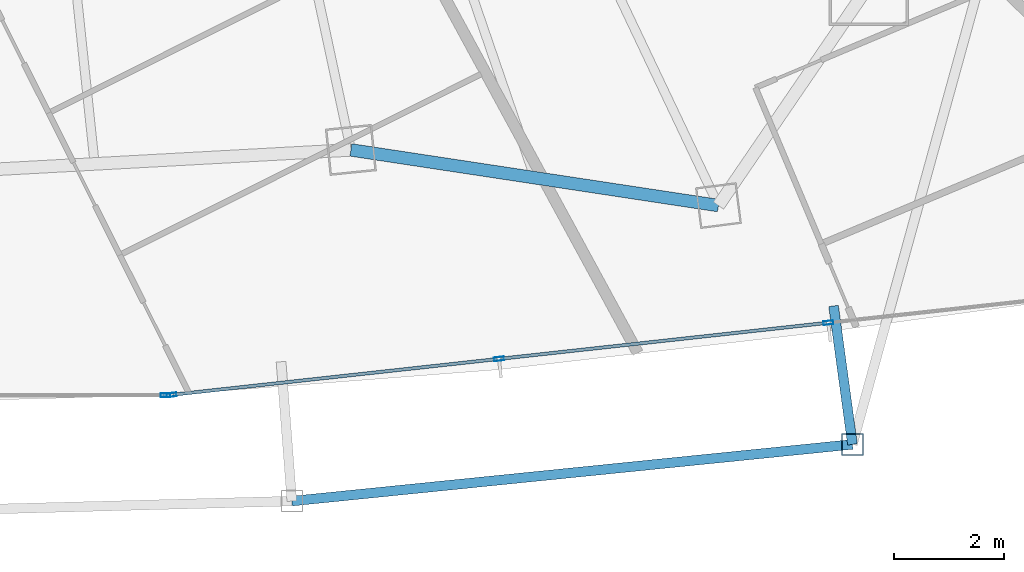
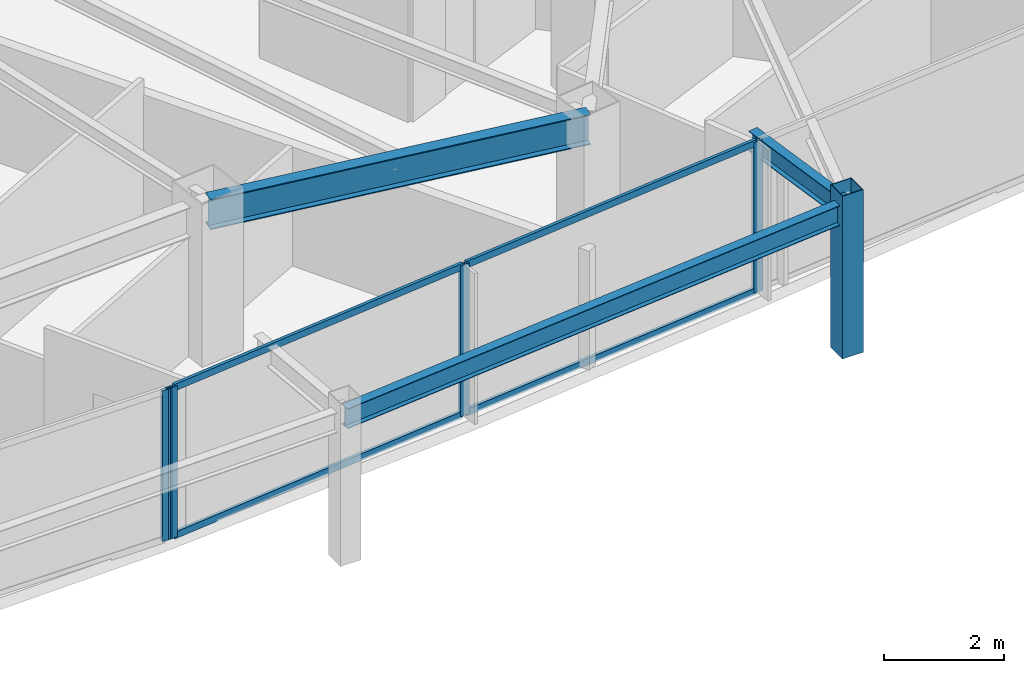
# One storey, part 11 of 31: 9 members, 3 beams, 2 elements without a shape of their own.
"""IFC4 building model written with IfcOpenShell, lengths in metres."""

from ifc_helpers import new_model, si_unit, direction, frame, origin, origin_2d, place, context, subcontext, project, spatial, hollow_rectangle, i_section, extrude, material, layer, layer_set, material_profile, profile_set, type_object, element, aggregate, save


model = new_model("IFC4")

# Units and contexts
model_context = context("Model", 3, precision=1e-05, world=origin(), true_north=direction((0.0, 1.0)))
body_context = subcontext(model_context, "Body", "Model", "MODEL_VIEW")
ifc_project = project(units=[si_unit("LENGTHUNIT", "METRE"), si_unit("AREAUNIT", "SQUARE_METRE"), si_unit("VOLUMEUNIT", "CUBIC_METRE"), si_unit("PLANEANGLEUNIT", "RADIAN"), si_unit("MASSUNIT", "GRAM", prefix="KILO")], contexts=[model_context])

# Site, building, storey
site_placement = place(None, origin())
site = spatial("IfcSite", under=ifc_project, at=site_placement, CompositionType="ELEMENT")
building_placement = place(site_placement, origin())
building = spatial("IfcBuilding", under=site, at=building_placement, Name="Orvanel Arch Residences", CompositionType="ELEMENT")
storey_placement = place(building_placement, frame((0.0, 0.0, 106.699951171875)))
storey = spatial("IfcBuildingStorey", under=building, at=storey_placement, Name="L29", CompositionType="ELEMENT", Elevation=106.699951171875)

# Curtain wall, member
ifc_material_1 = material(Name="Bronze-anodised aluminium AA6063-T6", Category="aluminium")
ifc_layer = layer(ifc_material_1, 0.179931640625)
ifc_layer_set = layer_set([ifc_layer], Name="Bronze-anodised aluminium AA6063-T6")
curtain_wall_type = type_object("IfcCurtainWallType", Name="CW3-MID-SYS", PredefinedType="NOTDEFINED", material=ifc_layer_set)
curtain_wall_1_placement = place(storey_placement, origin())
curtain_wall_1 = element("IfcCurtainWall", 1, at=curtain_wall_1_placement, inside=storey, type_object=curtain_wall_type, Name="L29 CW3-MID-SYS Unitised Curtain Wall", PredefinedType="NOTDEFINED")
ifc_material_profile_1 = material_profile(ifc_material_1, hollow_rectangle(XDim=0.070068359375, YDim=0.179931640625, WallThickness=0.00439453125, at=origin_2d()), Name="ALU180x70x4.5")
ifc_profile_set_1 = profile_set([ifc_material_profile_1], Name="Bronze-anodised aluminium AA6063-T6")
member_type_1 = type_object("IfcMemberType", Name="MUL-180x70", PredefinedType="MULLION", material=ifc_profile_set_1)
member_1_placement = place(storey_placement, frame((38.968017578125, 2.87890625, 0.0), z_axis=(0.0, 0.0, 1.0), x_axis=(0.0, 1.0, 0.0)))
member_1 = element("IfcMember", 2, at=member_1_placement, type_object=member_type_1, Name="CW-S3 mullion 3", PredefinedType="MULLION", context=body_context, shape_type="SweptSolid", body=[
    extrude(hollow_rectangle(XDim=0.070068359375, YDim=0.179931640625, WallThickness=0.00439453125, at=origin_2d()), origin(), (0.0, 0.0, 1.0), 3.06005859375),
])
aggregate(curtain_wall_1, [member_1])

# Curtain wall, members
curtain_wall_2_placement = place(storey_placement, origin())
curtain_wall_2 = element("IfcCurtainWall", 3, at=curtain_wall_2_placement, inside=storey, type_object=curtain_wall_type, Name="L29 CW3-MID-SYS Unitised Curtain Wall", PredefinedType="NOTDEFINED")
member_2_placement = place(storey_placement, frame((39.077880859375, 2.884765625, 0.0), z_axis=(0.0, 0.0, 1.0), x_axis=(-0.109154736008, 0.994024770117, 0.0)))
member_2 = element("IfcMember", 4, at=member_2_placement, type_object=member_type_1, Name="CW-S3 mullion 1", PredefinedType="MULLION", context=body_context, shape_type="SweptSolid", body=[
    extrude(hollow_rectangle(XDim=0.070068359375, YDim=0.179931640625, WallThickness=0.00439453125, at=origin_2d()), origin(), (0.0, 0.0, 1.0), 3.06005859375),
])
member_3_placement = place(storey_placement, frame((45.05322265625, 3.541015625, 0.0), z_axis=(0.0, 0.0, 1.0), x_axis=(-0.109154736008, 0.994024770117, 0.0)))
member_3 = element("IfcMember", 5, at=member_3_placement, type_object=member_type_1, Name="CW-S3 mullion 2", PredefinedType="MULLION", context=body_context, shape_type="SweptSolid", body=[
    extrude(hollow_rectangle(XDim=0.070068359375, YDim=0.179931640625, WallThickness=0.00439453125, at=origin_2d()), origin(), (0.0, 0.0, 1.0), 3.06005859375),
])
member_4_placement = place(storey_placement, frame((51.063720703125, 4.200927734375, 0.0), z_axis=(0.0, 0.0, 1.0), x_axis=(-0.109154736008, 0.994024770117, 0.0)))
member_4 = element("IfcMember", 6, at=member_4_placement, type_object=member_type_1, Name="CW-S3 mullion 3", PredefinedType="MULLION", context=body_context, shape_type="SweptSolid", body=[
    extrude(hollow_rectangle(XDim=0.070068359375, YDim=0.179931640625, WallThickness=0.00439453125, at=origin_2d()), origin(), (0.0, 0.0, 1.0), 3.06005859375),
])

# Beams
ifc_material_2 = material(Name="Structural steel AS/NZS 3679.1 Grade 300 (300 MPa)", Category="steel")
ifc_material_profile_2 = material_profile(ifc_material_2, i_section(OverallWidth=0.177978515625, OverallDepth=0.406005859375, WebThickness=0.0078125, FlangeThickness=0.0126953125, at=origin_2d()), Name="410UB59.7")
ifc_profile_set_2 = profile_set([ifc_material_profile_2], Name="Structural steel AS/NZS 3679.1 Grade 300 (300 MPa)")
beam_type_1 = type_object("IfcBeamType", Name="OB-410UB-EXT", PredefinedType="SPANDREL", material=ifc_profile_set_2)
beam_1_placement = place(storey_placement, frame((41.27392578125, 0.946044921875, 2.85693359375), z_axis=(0.994922767313, 0.100641378577, 0.0), x_axis=(-0.100641378577, 0.994922767313, 0.0)))
element("IfcBeam", 7, at=beam_1_placement, inside=storey, type_object=beam_type_1, Name="L29 Outer Perimeter Floor Ring Beam 07", PredefinedType="SPANDREL", context=body_context, shape_type="SweptSolid", body=[
    extrude(i_section(OverallWidth=0.177978515625, OverallDepth=0.406005859375, WebThickness=0.0078125, FlangeThickness=0.0126953125, at=origin_2d()), origin(), (0.0, 0.0, 1.0), 10.283203125),
])
beam_2_placement = place(storey_placement, frame((51.159912109375, 4.508056640625, 2.85693359375), z_axis=(0.13525416411, -0.990810936098, 0.0), x_axis=(0.990810936098, 0.13525416411, 0.0)))
element("IfcBeam", 8, at=beam_2_placement, inside=storey, type_object=beam_type_1, Name="L29 Outer Frame Radial Tie Beam 08", PredefinedType="SPANDREL", context=body_context, shape_type="SweptSolid", body=[
    extrude(i_section(OverallWidth=0.177978515625, OverallDepth=0.406005859375, WebThickness=0.0078125, FlangeThickness=0.0126953125, at=origin_2d()), origin(), (0.0, 0.0, 1.0), 2.550537109375),
])
ifc_material_profile_3 = material_profile(ifc_material_2, i_section(OverallWidth=0.22900390625, OverallDepth=0.612060546875, WebThickness=0.011962890625, FlangeThickness=0.01953125, at=origin_2d()), Name="610UB125")
ifc_profile_set_3 = profile_set([ifc_material_profile_3], Name="Structural steel AS/NZS 3679.1 Grade 300 (300 MPa)")
beam_type_2 = type_object("IfcBeamType", Name="SP-610UB", PredefinedType="SPANDREL", material=ifc_profile_set_3)
beam_3_placement = place(storey_placement, frame((42.35107421875, 7.35498046875, 2.754150390625), z_axis=(0.988726323014, -0.149733958002, 0.0), x_axis=(0.149733958002, 0.988726323014, 0.0)))
element("IfcBeam", 9, at=beam_3_placement, inside=storey, type_object=beam_type_2, Name="L29 Perimeter Spandrel Beam 07", PredefinedType="SPANDREL", context=body_context, shape_type="SweptSolid", body=[
    extrude(i_section(OverallWidth=0.22900390625, OverallDepth=0.612060546875, WebThickness=0.011962890625, FlangeThickness=0.01953125, at=origin_2d()), origin(), (0.0, 0.0, 1.0), 6.784423828125),
])

# Member
ifc_material_3 = material(Name="Structural steel AS/NZS 1163 C450L0 (Grade 450)", Category="steel")
ifc_material_profile_4 = material_profile(ifc_material_3, hollow_rectangle(XDim=0.39990234375, YDim=0.39990234375, WallThickness=0.01611328125, at=origin_2d()), Name="SHS400x400x16")
ifc_profile_set_4 = profile_set([ifc_material_profile_4], Name="Structural steel AS/NZS 1163 C450L0 (Grade 450)")
member_type_2 = type_object("IfcMemberType", Name="ST-400SHS-EXT", PredefinedType="STRUT", material=ifc_profile_set_4)
member_5_placement = place(storey_placement, frame((51.5048828125, 1.98095703125, 0.0), z_axis=(0.0, 0.0, 1.0), x_axis=(1.0, 0.0, 0.0)))
element("IfcMember", 10, at=member_5_placement, inside=storey, type_object=member_type_2, Name="L29 Outer Perimeter Frame Post 08", PredefinedType="STRUT", context=body_context, shape_type="SweptSolid", body=[
    extrude(hollow_rectangle(XDim=0.39990234375, YDim=0.39990234375, WallThickness=0.01611328125, at=origin_2d()), origin(), (0.0, 0.0, 1.0), 3.300048828125),
])

ifc_material_profile_5 = material_profile(ifc_material_1, hollow_rectangle(XDim=0.06005859375, YDim=0.135009765625, WallThickness=0.00390625, at=origin_2d()), Name="ALU135x60x4")
ifc_profile_set_5 = profile_set([ifc_material_profile_5], Name="Bronze-anodised aluminium AA6063-T6")
member_type_3 = type_object("IfcMemberType", Name="TRN-135x60", PredefinedType="USERDEFINED", material=ifc_profile_set_5)
member_6_placement = place(storey_placement, frame((39.112548828125, 2.888671875, 0.030029296875), z_axis=(0.994026709515, 0.109137073311, 0.0), x_axis=(-0.109137073311, 0.994026709515, 0.0)))
member_6 = element("IfcMember", 11, at=member_6_placement, type_object=member_type_3, Name="CW-S3 transom 1.1", ObjectType="TRANSOM", PredefinedType="USERDEFINED", context=body_context, shape_type="SweptSolid", body=[
    extrude(hollow_rectangle(XDim=0.06005859375, YDim=0.135009765625, WallThickness=0.00390625, at=origin_2d()), origin(), (0.0, 0.0, 1.0), 5.94140625),
])

member_7_placement = place(storey_placement, frame((39.112548828125, 2.888671875, 3.030029296875), z_axis=(0.994026709515, 0.109137073311, 0.0), x_axis=(-0.109137073311, 0.994026709515, 0.0)))
member_7 = element("IfcMember", 12, at=member_7_placement, type_object=member_type_3, Name="CW-S3 transom 1.2", ObjectType="TRANSOM", PredefinedType="USERDEFINED", context=body_context, shape_type="SweptSolid", body=[
    extrude(hollow_rectangle(XDim=0.06005859375, YDim=0.135009765625, WallThickness=0.00390625, at=origin_2d()), origin(), (0.0, 0.0, 1.0), 5.94140625),
])

member_8_placement = place(storey_placement, frame((45.088134765625, 3.544921875, 0.030029296875), z_axis=(0.994024894995, 0.109153598793, 0.0), x_axis=(-0.109153598793, 0.994024894995, 0.0)))
member_8 = element("IfcMember", 13, at=member_8_placement, type_object=member_type_3, Name="CW-S3 transom 2.1", ObjectType="TRANSOM", PredefinedType="USERDEFINED", context=body_context, shape_type="SweptSolid", body=[
    extrude(hollow_rectangle(XDim=0.06005859375, YDim=0.135009765625, WallThickness=0.00390625, at=origin_2d()), origin(), (0.0, 0.0, 1.0), 5.976318359375),
])

member_9_placement = place(storey_placement, frame((45.088134765625, 3.544921875, 3.030029296875), z_axis=(0.994024894995, 0.109153598793, 0.0), x_axis=(-0.109153598793, 0.994024894995, 0.0)))
member_9 = element("IfcMember", 14, at=member_9_placement, type_object=member_type_3, Name="CW-S3 transom 2.2", ObjectType="TRANSOM", PredefinedType="USERDEFINED", context=body_context, shape_type="SweptSolid", body=[
    extrude(hollow_rectangle(XDim=0.06005859375, YDim=0.135009765625, WallThickness=0.00390625, at=origin_2d()), origin(), (0.0, 0.0, 1.0), 5.976318359375),
])

aggregate(curtain_wall_2, [member_2, member_3, member_4, member_6, member_7, member_8, member_9])

save(model, "model.ifc")
